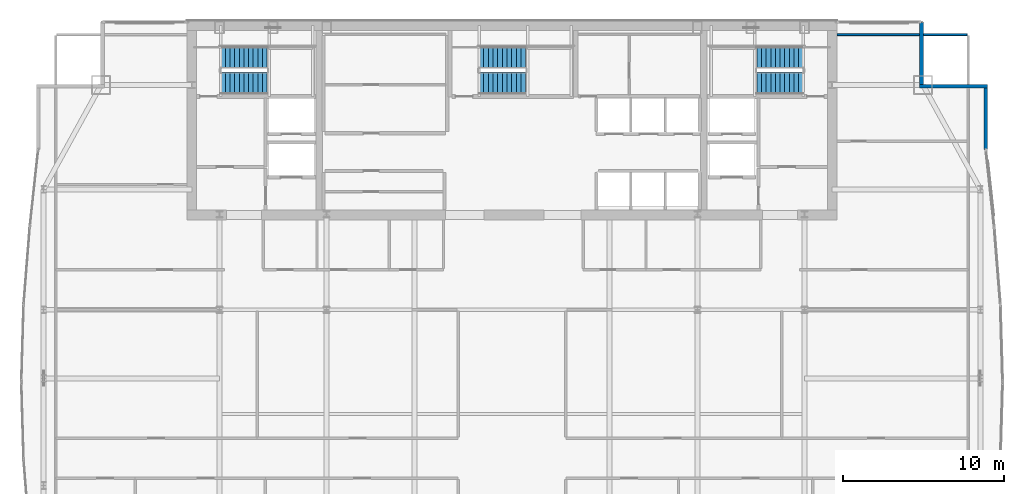
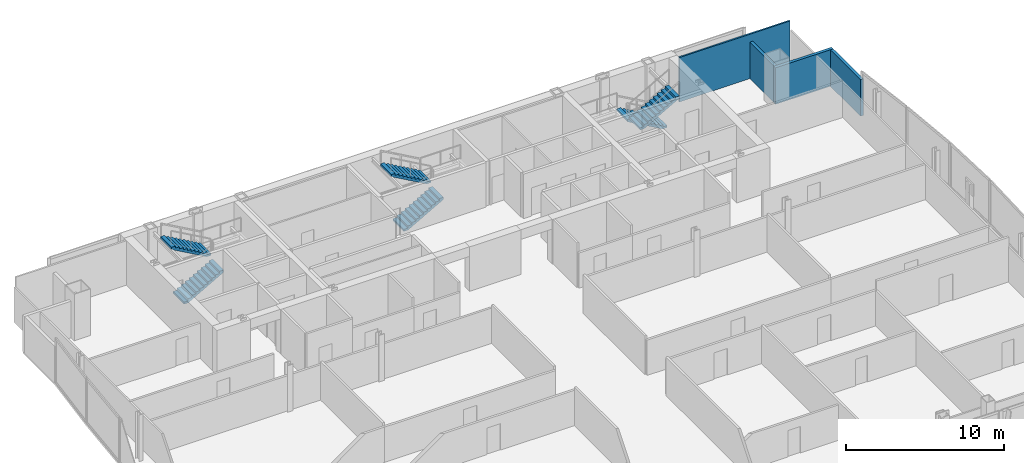
# One storey, part 30 of 32: 6 stair flights, 4 walls, 3 elements without a shape of their own.
"""IFC4 building model written with IfcOpenShell, lengths in metres."""

from ifc_helpers import new_model, si_unit, direction, frame, frame_2d, origin, place, context, subcontext, project, spatial, polyline, rectangle, outline, extrude, material, layer, layer_set, type_object, element, aggregate, save


model = new_model("IFC4")

# Units and contexts
model_context = context("Model", 3, precision=1e-05, world=origin(), true_north=direction((0.0, 1.0)))
body_context = subcontext(model_context, "Body", "Model", "MODEL_VIEW")
ifc_project = project(units=[si_unit("LENGTHUNIT", "METRE"), si_unit("AREAUNIT", "SQUARE_METRE"), si_unit("VOLUMEUNIT", "CUBIC_METRE"), si_unit("PLANEANGLEUNIT", "RADIAN"), si_unit("MASSUNIT", "GRAM", prefix="KILO")], contexts=[model_context])

# Site, building, storey
site_placement = place(None, origin())
site = spatial("IfcSite", under=ifc_project, at=site_placement, CompositionType="ELEMENT")
building_placement = place(site_placement, origin())
building = spatial("IfcBuilding", under=site, at=building_placement, Name="Khoronbel Lancet Exchange", CompositionType="ELEMENT")
storey_placement = place(building_placement, frame((0.0, 0.0, 195.800048828125)))
storey = spatial("IfcBuildingStorey", under=building, at=storey_placement, Name="L49", CompositionType="ELEMENT", Elevation=195.800048828125)

# Walls
ifc_material_1 = material(Name="Precast concrete C40/50", Category="concrete")
ifc_layer_1 = layer(ifc_material_1, 0.25, Name="Precast concrete C40/50")
ifc_layer_set_1 = layer_set([ifc_layer_1], Name="Precast concrete C40/50")
wall_type_1 = type_object("IfcWallType", Name="WL-EXT250", PredefinedType="SOLIDWALL", material=ifc_layer_set_1)
wall_1_placement = place(storey_placement, frame((61.9599609375, 53.6298828125, 0.0), z_axis=(0.0, 0.0, 1.0), x_axis=(0.0, -1.0, 0.0)))
element("IfcWall", 1, at=wall_1_placement, inside=storey, type_object=wall_type_1, Name="Level L49 notched-corner limestone pier 14", PredefinedType="SOLIDWALL", context=body_context, shape_type="SweptSolid", body=[
    extrude(rectangle(XDim=3.909912109375, YDim=0.219970703125, at=frame_2d((1.955078125, 0.0))), origin(), (0.0, 0.0, 1.0), 2.829833984375),
])
wall_2_placement = place(storey_placement, frame((61.85009765625, 49.610107421875, 0.0), z_axis=(0.0, 0.0, 1.0), x_axis=(1.0, 0.0, 0.0)))
element("IfcWall", 2, at=wall_2_placement, inside=storey, type_object=wall_type_1, Name="Level L49 notched-corner limestone pier 15", PredefinedType="SOLIDWALL", context=body_context, shape_type="SweptSolid", body=[
    extrude(rectangle(XDim=4.219970703125, YDim=0.219970703125, at=frame_2d((2.10986328125, 0.0))), origin(), (0.0, 0.0, 1.0), 2.829833984375),
])
wall_3_placement = place(storey_placement, frame((65.9599609375, 49.5, 0.0), z_axis=(0.0, 0.0, 1.0), x_axis=(0.0, -1.0, 0.0)))
element("IfcWall", 3, at=wall_3_placement, inside=storey, type_object=wall_type_1, Name="Level L49 notched-corner limestone pier 16", PredefinedType="SOLIDWALL", context=body_context, shape_type="SweptSolid", body=[
    extrude(rectangle(XDim=3.824951171875, YDim=0.219970703125, at=frame_2d((1.91259765625, 0.0))), origin(), (0.0, 0.0, 1.0), 2.829833984375),
])
ifc_material_2 = material(Name="Acoustic Metal-Stud & Mineral-Wool Gypsum Partition 120 mm", Category="gypsum")
ifc_layer_2 = layer(ifc_material_2, 0.1201171875, Name="Acoustic Metal-Stud & Mineral-Wool Gypsum Partition 120 mm")
ifc_layer_set_2 = layer_set([ifc_layer_2], Name="Acoustic Metal-Stud & Mineral-Wool Gypsum Partition 120 mm")
wall_type_2 = type_object("IfcWallType", Name="WL-PRT120", PredefinedType="PARTITIONING", material=ifc_layer_set_2)
wall_4_placement = place(storey_placement, frame((56.699951171875, 52.840087890625, 0.0), z_axis=(0.0, 0.0, 1.0), x_axis=(1.0, 0.0, 0.0)))
element("IfcWall", 4, at=wall_4_placement, inside=storey, type_object=wall_type_2, Name="Level L49 interior partition PW-LIN-NE", PredefinedType="PARTITIONING", context=body_context, shape_type="SweptSolid", body=[
    extrude(rectangle(XDim=8.10498046875, YDim=0.1201171875, at=frame_2d((4.052490234375, 0.0))), origin(), (0.0, 0.0, 1.0), 3.43994140625),
])

# Stair, stair flights
ifc_material_3 = material(Name="Concrete C40/50", Category="concrete")
stair_type = type_object("IfcStairType", Name="STR-CORE150", PredefinedType="HALF_TURN_STAIR", material=ifc_material_3)
stair_1_placement = place(storey_placement, origin())
stair_1 = element("IfcStair", 5, at=stair_1_placement, inside=storey, type_object=stair_type, Name="L49 Protected Exit Stair ST1", PredefinedType="HALF_TURN_STAIR")
stair_flight_type = type_object("IfcStairFlightType", Name="STF-150", PredefinedType="STRAIGHT", material=ifc_material_3)
stair_flight_1_placement = place(storey_placement, frame((18.300048828125, 49.81005859375, 0.0), z_axis=(0.0, 0.0, 1.0), x_axis=(1.0, 0.0, 0.0)))
stair_flight_1 = element("IfcStairFlight", 6, at=stair_flight_1_placement, type_object=stair_flight_type, Name="ST1 flight 1", NumberOfRisers=11, NumberOfTreads=10, PredefinedType="STRAIGHT", RiserHeight=0.163636364, TreadLength=0.29, context=body_context, shape_type="SweptSolid", body=[
    extrude(outline(polyline([(0.0, 0.0), (0.0, 0.16357421875), (0.2900390625, 0.16357421875), (0.2900390625, 0.327392578125), (0.580078125, 0.327392578125), (0.580078125, 0.490966796875), (0.8701171875, 0.490966796875), (0.8701171875, 0.654541015625), (1.159912109375, 0.654541015625), (1.159912109375, 0.818115234375), (1.449951171875, 0.818115234375), (1.449951171875, 0.98193359375), (1.739990234375, 0.98193359375), (1.739990234375, 1.1455078125), (2.030029296875, 1.1455078125), (2.030029296875, 1.30908203125), (2.320068359375, 1.30908203125), (2.320068359375, 1.47265625), (2.610107421875, 1.47265625), (2.610107421875, 1.636474609375), (2.89990234375, 1.636474609375), (2.89990234375, 1.800048828125), (2.89990234375, 1.46435546875), (0.304931640625, 0.0), (0.0, 0.0)])), frame((0.0, 0.68994140625, 0.0), z_axis=(0.0, -1.0, 0.0), x_axis=(1.0, 0.0, 0.0)), (0.0, 0.0, 1.0), 1.3798828125),
])
stair_flight_2_placement = place(storey_placement, frame((21.199951171875, 51.409912109375, 1.800048828125), z_axis=(0.0, 0.0, 1.0), x_axis=(-1.0, 0.0, 0.0)))
stair_flight_2 = element("IfcStairFlight", 7, at=stair_flight_2_placement, type_object=stair_flight_type, Name="ST1 flight 2", NumberOfRisers=11, NumberOfTreads=10, PredefinedType="STRAIGHT", RiserHeight=0.163636364, TreadLength=0.29, context=body_context, shape_type="SweptSolid", body=[
    extrude(outline(polyline([(0.0, 0.0), (0.0, 0.16357421875), (0.2900390625, 0.16357421875), (0.2900390625, 0.327392578125), (0.580078125, 0.327392578125), (0.580078125, 0.490966796875), (0.8701171875, 0.490966796875), (0.8701171875, 0.654541015625), (1.159912109375, 0.654541015625), (1.159912109375, 0.818115234375), (1.449951171875, 0.818115234375), (1.449951171875, 0.98193359375), (1.739990234375, 0.98193359375), (1.739990234375, 1.1455078125), (2.030029296875, 1.1455078125), (2.030029296875, 1.30908203125), (2.320068359375, 1.30908203125), (2.320068359375, 1.47265625), (2.610107421875, 1.47265625), (2.610107421875, 1.636474609375), (2.89990234375, 1.636474609375), (2.89990234375, 1.800048828125), (2.89990234375, 1.46435546875), (0.304931640625, 0.0), (0.0, 0.0)])), frame((0.0, 0.68994140625, 0.0), z_axis=(0.0, -1.0, 0.0), x_axis=(1.0, 0.0, 0.0)), (0.0, 0.0, 1.0), 1.3798828125),
])
aggregate(stair_1, [stair_flight_1, stair_flight_2])

stair_2_placement = place(storey_placement, origin())
stair_2 = element("IfcStair", 8, at=stair_2_placement, inside=storey, type_object=stair_type, Name="L49 Protected Exit Stair ST2", PredefinedType="HALF_TURN_STAIR")
stair_flight_3_placement = place(storey_placement, frame((54.60009765625, 51.409912109375, 0.0), z_axis=(0.0, 0.0, 1.0), x_axis=(-1.0, 0.0, 0.0)))
stair_flight_3 = element("IfcStairFlight", 9, at=stair_flight_3_placement, type_object=stair_flight_type, Name="ST2 flight 1", NumberOfRisers=11, NumberOfTreads=10, PredefinedType="STRAIGHT", RiserHeight=0.163636364, TreadLength=0.29, context=body_context, shape_type="SweptSolid", body=[
    extrude(outline(polyline([(0.0, 0.0), (0.0, 0.16357421875), (0.2900390625, 0.16357421875), (0.2900390625, 0.327392578125), (0.580078125, 0.327392578125), (0.580078125, 0.490966796875), (0.8701171875, 0.490966796875), (0.8701171875, 0.654541015625), (1.159912109375, 0.654541015625), (1.159912109375, 0.818115234375), (1.449951171875, 0.818115234375), (1.449951171875, 0.98193359375), (1.739990234375, 0.98193359375), (1.739990234375, 1.1455078125), (2.030029296875, 1.1455078125), (2.030029296875, 1.30908203125), (2.320068359375, 1.30908203125), (2.320068359375, 1.47265625), (2.610107421875, 1.47265625), (2.610107421875, 1.636474609375), (2.89990234375, 1.636474609375), (2.89990234375, 1.800048828125), (2.89990234375, 1.46435546875), (0.304931640625, 0.0), (0.0, 0.0)])), frame((0.0, 0.68994140625, 0.0), z_axis=(0.0, -1.0, 0.0), x_axis=(1.0, 0.0, 0.0)), (0.0, 0.0, 1.0), 1.3798828125),
])
stair_flight_4_placement = place(storey_placement, frame((51.699951171875, 49.81005859375, 1.800048828125), z_axis=(0.0, 0.0, 1.0), x_axis=(1.0, 0.0, 0.0)))
stair_flight_4 = element("IfcStairFlight", 10, at=stair_flight_4_placement, type_object=stair_flight_type, Name="ST2 flight 2", NumberOfRisers=11, NumberOfTreads=10, PredefinedType="STRAIGHT", RiserHeight=0.163636364, TreadLength=0.29, context=body_context, shape_type="SweptSolid", body=[
    extrude(outline(polyline([(0.0, 0.0), (0.0, 0.16357421875), (0.2900390625, 0.16357421875), (0.2900390625, 0.327392578125), (0.580078125, 0.327392578125), (0.580078125, 0.490966796875), (0.8701171875, 0.490966796875), (0.8701171875, 0.654541015625), (1.159912109375, 0.654541015625), (1.159912109375, 0.818115234375), (1.449951171875, 0.818115234375), (1.449951171875, 0.98193359375), (1.739990234375, 0.98193359375), (1.739990234375, 1.1455078125), (2.030029296875, 1.1455078125), (2.030029296875, 1.30908203125), (2.320068359375, 1.30908203125), (2.320068359375, 1.47265625), (2.610107421875, 1.47265625), (2.610107421875, 1.636474609375), (2.89990234375, 1.636474609375), (2.89990234375, 1.800048828125), (2.89990234375, 1.46435546875), (0.304931640625, 0.0), (0.0, 0.0)])), frame((0.0, 0.68994140625, 0.0), z_axis=(0.0, -1.0, 0.0), x_axis=(1.0, 0.0, 0.0)), (0.0, 0.0, 1.0), 1.3798828125),
])
aggregate(stair_2, [stair_flight_3, stair_flight_4])

stair_3_placement = place(storey_placement, origin())
stair_3 = element("IfcStair", 11, at=stair_3_placement, inside=storey, type_object=stair_type, Name="L49 Protected Exit Stair ST3", PredefinedType="HALF_TURN_STAIR")
stair_flight_5_placement = place(storey_placement, frame((34.39990234375, 49.81005859375, 0.0), z_axis=(0.0, 0.0, 1.0), x_axis=(1.0, 0.0, 0.0)))
stair_flight_5 = element("IfcStairFlight", 12, at=stair_flight_5_placement, type_object=stair_flight_type, Name="ST3 flight 1", NumberOfRisers=11, NumberOfTreads=10, PredefinedType="STRAIGHT", RiserHeight=0.163636364, TreadLength=0.29, context=body_context, shape_type="SweptSolid", body=[
    extrude(outline(polyline([(0.0, 0.0), (0.0, 0.16357421875), (0.2900390625, 0.16357421875), (0.2900390625, 0.327392578125), (0.580078125, 0.327392578125), (0.580078125, 0.490966796875), (0.8701171875, 0.490966796875), (0.8701171875, 0.654541015625), (1.159912109375, 0.654541015625), (1.159912109375, 0.818115234375), (1.449951171875, 0.818115234375), (1.449951171875, 0.98193359375), (1.739990234375, 0.98193359375), (1.739990234375, 1.1455078125), (2.030029296875, 1.1455078125), (2.030029296875, 1.30908203125), (2.320068359375, 1.30908203125), (2.320068359375, 1.47265625), (2.610107421875, 1.47265625), (2.610107421875, 1.636474609375), (2.89990234375, 1.636474609375), (2.89990234375, 1.800048828125), (2.89990234375, 1.46435546875), (0.304931640625, 0.0), (0.0, 0.0)])), frame((0.0, 0.68994140625, 0.0), z_axis=(0.0, -1.0, 0.0), x_axis=(1.0, 0.0, 0.0)), (0.0, 0.0, 1.0), 1.3798828125),
])
stair_flight_6_placement = place(storey_placement, frame((37.300048828125, 51.409912109375, 1.800048828125), z_axis=(0.0, 0.0, 1.0), x_axis=(-1.0, 0.0, 0.0)))
stair_flight_6 = element("IfcStairFlight", 13, at=stair_flight_6_placement, type_object=stair_flight_type, Name="ST3 flight 2", NumberOfRisers=11, NumberOfTreads=10, PredefinedType="STRAIGHT", RiserHeight=0.163636364, TreadLength=0.29, context=body_context, shape_type="SweptSolid", body=[
    extrude(outline(polyline([(0.0, 0.0), (0.0, 0.16357421875), (0.2900390625, 0.16357421875), (0.2900390625, 0.327392578125), (0.580078125, 0.327392578125), (0.580078125, 0.490966796875), (0.8701171875, 0.490966796875), (0.8701171875, 0.654541015625), (1.159912109375, 0.654541015625), (1.159912109375, 0.818115234375), (1.449951171875, 0.818115234375), (1.449951171875, 0.98193359375), (1.739990234375, 0.98193359375), (1.739990234375, 1.1455078125), (2.030029296875, 1.1455078125), (2.030029296875, 1.30908203125), (2.320068359375, 1.30908203125), (2.320068359375, 1.47265625), (2.610107421875, 1.47265625), (2.610107421875, 1.636474609375), (2.89990234375, 1.636474609375), (2.89990234375, 1.800048828125), (2.89990234375, 1.46435546875), (0.304931640625, 0.0), (0.0, 0.0)])), frame((0.0, 0.68994140625, 0.0), z_axis=(0.0, -1.0, 0.0), x_axis=(1.0, 0.0, 0.0)), (0.0, 0.0, 1.0), 1.3798828125),
])
aggregate(stair_3, [stair_flight_5, stair_flight_6])

save(model, "model.ifc")
